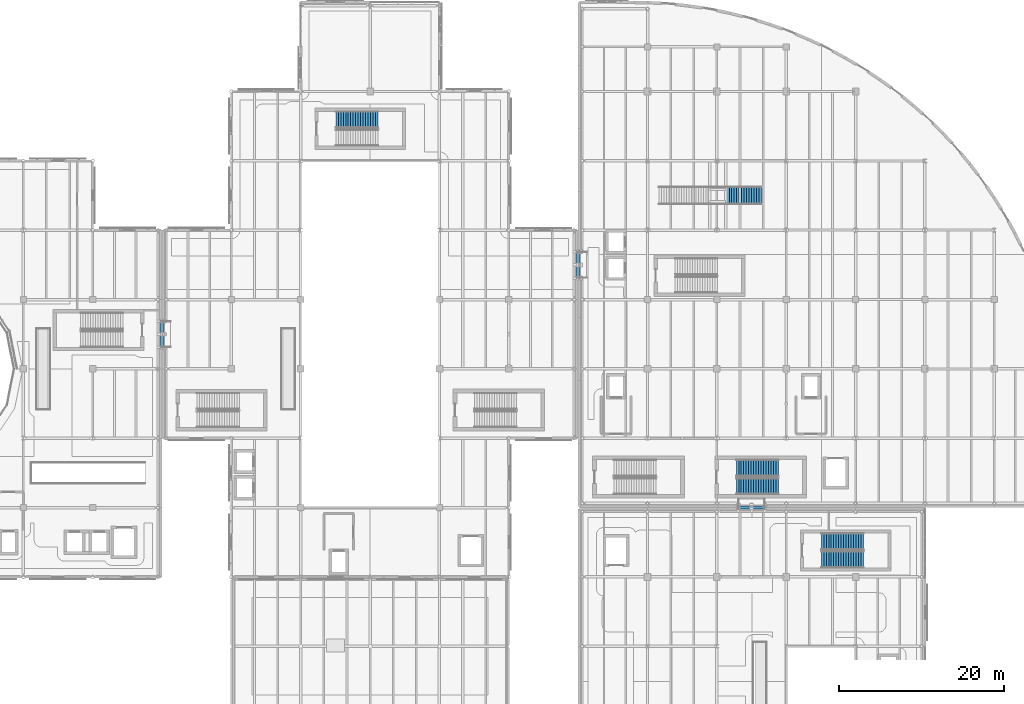
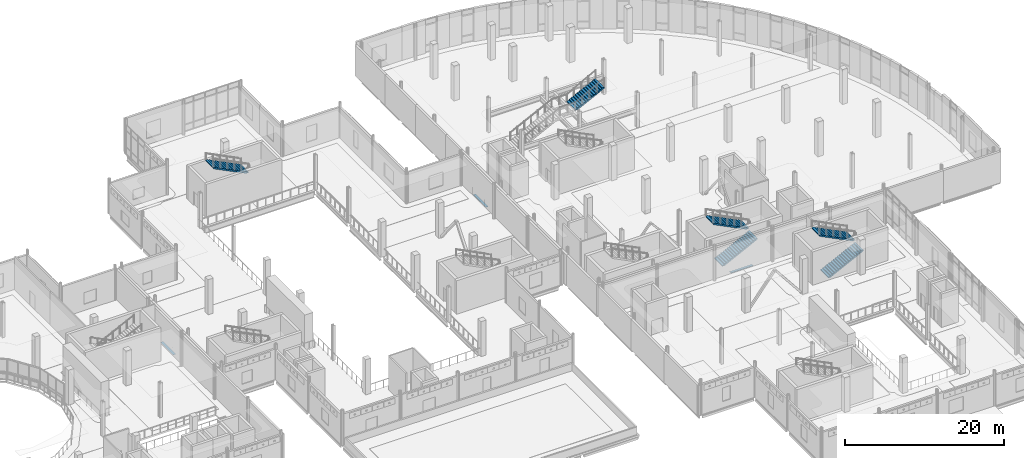
# One storey, part 74 of 110: 6 stair flights, 3 discrete accessories, 4 elements without a shape of their own.
"""IFC4 building model written with IfcOpenShell, lengths in metres."""

from ifc_helpers import new_model, si_unit, direction, frame, origin, origin_2d, place, context, subcontext, project, spatial, polyline, rectangle, outline, extrude, material, type_object, element, aggregate, save


model = new_model("IFC4")

# Units and contexts
model_context = context("Model", 3, precision=1e-05, world=origin(), true_north=direction((0.0, 1.0)))
body_context = subcontext(model_context, "Body", "Model", "MODEL_VIEW")
ifc_project = project(units=[si_unit("LENGTHUNIT", "METRE"), si_unit("AREAUNIT", "SQUARE_METRE"), si_unit("VOLUMEUNIT", "CUBIC_METRE"), si_unit("PLANEANGLEUNIT", "RADIAN"), si_unit("MASSUNIT", "GRAM", prefix="KILO"), si_unit("THERMODYNAMICTEMPERATUREUNIT", "KELVIN")], contexts=[model_context])

# Site, building, storey
site_placement = place(None, origin())
site = spatial("IfcSite", under=ifc_project, at=site_placement, CompositionType="ELEMENT")
building_placement = place(site_placement, origin())
building = spatial("IfcBuilding", under=site, at=building_placement, Name="Lustrewick Department Store", CompositionType="ELEMENT")
storey_placement = place(building_placement, frame((0.0, 0.0, 6.0)))
storey = spatial("IfcBuildingStorey", under=building, at=storey_placement, Name="L02", CompositionType="ELEMENT", Elevation=6.0)

# Stair, stair flight
ifc_material_1 = material(Name="Structural steel S355 (Q355B)", Category="steel")
stair_type_1 = type_object("IfcStairType", Name="AST02", PredefinedType="STRAIGHT_RUN_STAIR", material=ifc_material_1)
stair_1_placement = place(storey_placement, origin())
stair_1 = element("IfcStair", 1, at=stair_1_placement, inside=storey, type_object=stair_type_1, Name="L02 Architectural Feature Stair AST02", PredefinedType="STRAIGHT_RUN_STAIR")
stair_flight_type_1 = type_object("IfcStairFlightType", Name="SF-A2", PredefinedType="STRAIGHT", material=ifc_material_1)
stair_flight_1_placement = place(storey_placement, frame((127.199951171875, 88.199951171875, 3.14990234375), z_axis=(0.0, 0.0, 1.0), x_axis=(1.0, 0.0, 0.0)))
stair_flight_1 = element("IfcStairFlight", 2, at=stair_flight_1_placement, type_object=stair_flight_type_1, Name="AST02 flight 2", NumberOfRisers=15, NumberOfTreads=14, PredefinedType="STRAIGHT", RiserHeight=0.15, TreadLength=0.3, context=body_context, shape_type="SweptSolid", body=[
    extrude(outline(polyline([(0.0, 0.0), (0.0, 0.14990234375), (0.300048828125, 0.14990234375), (0.300048828125, 0.300048828125), (0.60009765625, 0.300048828125), (0.60009765625, 0.449951171875), (0.89990234375, 0.449951171875), (0.89990234375, 0.60009765625), (1.199951171875, 0.60009765625), (1.199951171875, 0.75), (1.5, 0.75), (1.5, 0.89990234375), (1.800048828125, 0.89990234375), (1.800048828125, 1.050048828125), (2.10009765625, 1.050048828125), (2.10009765625, 1.199951171875), (2.39990234375, 1.199951171875), (2.39990234375, 1.35009765625), (2.699951171875, 1.35009765625), (2.699951171875, 1.5), (3.0, 1.5), (3.0, 1.64990234375), (3.300048828125, 1.64990234375), (3.300048828125, 1.800048828125), (3.60009765625, 1.800048828125), (3.60009765625, 1.949951171875), (3.89990234375, 1.949951171875), (3.89990234375, 2.10009765625), (4.199951171875, 2.10009765625), (4.199951171875, 2.25), (4.199951171875, 1.921142578125), (0.357666015625, 0.0), (0.0, 0.0)])), frame((0.0, 1.10009765625, 0.0), z_axis=(0.0, -1.0, 0.0), x_axis=(1.0, 0.0, 0.0)), (0.0, 0.0, 1.0), 2.199951171875),
])
aggregate(stair_1, [stair_flight_1])

ifc_material_2 = material(Name="Concrete C30", Category="concrete")
stair_type_2 = type_object("IfcStairType", Name="ST-H54", PredefinedType="HALF_TURN_STAIR", material=ifc_material_2)
stair_2_placement = place(storey_placement, origin())
stair_2 = element("IfcStair", 3, at=stair_2_placement, inside=storey, type_object=stair_type_2, Name="L02 Smoke-Proof Exit Stair ST06", PredefinedType="HALF_TURN_STAIR")
stair_flight_type_2 = type_object("IfcStairFlightType", Name="SF-H54", PredefinedType="STRAIGHT", material=ifc_material_2)
stair_flight_2_placement = place(storey_placement, frame((84.949951171875, 97.39990234375, 2.699951171875), z_axis=(0.0, 0.0, 1.0), x_axis=(-1.0, 0.0, 0.0)))
stair_flight_2 = element("IfcStairFlight", 4, at=stair_flight_2_placement, type_object=stair_flight_type_2, Name="ST-H54 flight 2", NumberOfRisers=18, NumberOfTreads=17, PredefinedType="STRAIGHT", RiserHeight=0.15, TreadLength=0.3, context=body_context, shape_type="SweptSolid", body=[
    extrude(outline(polyline([(0.0, 0.0), (0.0, 0.14990234375), (0.300048828125, 0.14990234375), (0.300048828125, 0.300048828125), (0.60009765625, 0.300048828125), (0.60009765625, 0.449951171875), (0.89990234375, 0.449951171875), (0.89990234375, 0.60009765625), (1.199951171875, 0.60009765625), (1.199951171875, 0.75), (1.5, 0.75), (1.5, 0.89990234375), (1.800048828125, 0.89990234375), (1.800048828125, 1.050048828125), (2.10009765625, 1.050048828125), (2.10009765625, 1.199951171875), (2.39990234375, 1.199951171875), (2.39990234375, 1.35009765625), (2.699951171875, 1.35009765625), (2.699951171875, 1.5), (3.0, 1.5), (3.0, 1.64990234375), (3.300048828125, 1.64990234375), (3.300048828125, 1.800048828125), (3.60009765625, 1.800048828125), (3.60009765625, 1.949951171875), (3.89990234375, 1.949951171875), (3.89990234375, 2.10009765625), (4.199951171875, 2.10009765625), (4.199951171875, 2.25), (4.5, 2.25), (4.5, 2.39990234375), (4.800048828125, 2.39990234375), (4.800048828125, 2.550048828125), (5.10009765625, 2.550048828125), (5.10009765625, 2.699951171875), (5.10009765625, 2.37109375), (0.357666015625, 0.0), (0.0, 0.0)])), frame((0.0, 1.0, 0.0), z_axis=(0.0, -1.0, 0.0), x_axis=(1.0, 0.0, 0.0)), (0.0, 0.0, 1.0), 2.0),
])
aggregate(stair_2, [stair_flight_2])

# Stair, stair flights
stair_3_placement = place(storey_placement, origin())
stair_3 = element("IfcStair", 5, at=stair_3_placement, inside=storey, type_object=stair_type_2, Name="L02 Smoke-Proof Exit Stair ST08", PredefinedType="HALF_TURN_STAIR")
stair_flight_3_placement = place(storey_placement, frame((138.64990234375, 44.10009765625, 0.0), z_axis=(0.0, 0.0, 1.0), x_axis=(1.0, 0.0, 0.0)))
stair_flight_3 = element("IfcStairFlight", 6, at=stair_flight_3_placement, type_object=stair_flight_type_2, Name="ST-H54 flight 1", NumberOfRisers=18, NumberOfTreads=17, PredefinedType="STRAIGHT", RiserHeight=0.15, TreadLength=0.3, context=body_context, shape_type="SweptSolid", body=[
    extrude(outline(polyline([(0.0, 0.0), (0.0, 0.14990234375), (0.300048828125, 0.14990234375), (0.300048828125, 0.300048828125), (0.60009765625, 0.300048828125), (0.60009765625, 0.449951171875), (0.89990234375, 0.449951171875), (0.89990234375, 0.60009765625), (1.199951171875, 0.60009765625), (1.199951171875, 0.75), (1.5, 0.75), (1.5, 0.89990234375), (1.800048828125, 0.89990234375), (1.800048828125, 1.050048828125), (2.10009765625, 1.050048828125), (2.10009765625, 1.199951171875), (2.39990234375, 1.199951171875), (2.39990234375, 1.35009765625), (2.699951171875, 1.35009765625), (2.699951171875, 1.5), (3.0, 1.5), (3.0, 1.64990234375), (3.300048828125, 1.64990234375), (3.300048828125, 1.800048828125), (3.60009765625, 1.800048828125), (3.60009765625, 1.949951171875), (3.89990234375, 1.949951171875), (3.89990234375, 2.10009765625), (4.199951171875, 2.10009765625), (4.199951171875, 2.25), (4.5, 2.25), (4.5, 2.39990234375), (4.800048828125, 2.39990234375), (4.800048828125, 2.550048828125), (5.10009765625, 2.550048828125), (5.10009765625, 2.699951171875), (5.10009765625, 2.37109375), (0.357666015625, 0.0), (0.0, 0.0)])), frame((0.0, 1.0, 0.0), z_axis=(0.0, -1.0, 0.0), x_axis=(1.0, 0.0, 0.0)), (0.0, 0.0, 1.0), 2.0),
])
stair_flight_4_placement = place(storey_placement, frame((143.75, 46.300048828125, 2.699951171875), z_axis=(0.0, 0.0, 1.0), x_axis=(-1.0, 0.0, 0.0)))
stair_flight_4 = element("IfcStairFlight", 7, at=stair_flight_4_placement, type_object=stair_flight_type_2, Name="ST-H54 flight 2", NumberOfRisers=18, NumberOfTreads=17, PredefinedType="STRAIGHT", RiserHeight=0.15, TreadLength=0.3, context=body_context, shape_type="SweptSolid", body=[
    extrude(outline(polyline([(0.0, 0.0), (0.0, 0.14990234375), (0.300048828125, 0.14990234375), (0.300048828125, 0.300048828125), (0.60009765625, 0.300048828125), (0.60009765625, 0.449951171875), (0.89990234375, 0.449951171875), (0.89990234375, 0.60009765625), (1.199951171875, 0.60009765625), (1.199951171875, 0.75), (1.5, 0.75), (1.5, 0.89990234375), (1.800048828125, 0.89990234375), (1.800048828125, 1.050048828125), (2.10009765625, 1.050048828125), (2.10009765625, 1.199951171875), (2.39990234375, 1.199951171875), (2.39990234375, 1.35009765625), (2.699951171875, 1.35009765625), (2.699951171875, 1.5), (3.0, 1.5), (3.0, 1.64990234375), (3.300048828125, 1.64990234375), (3.300048828125, 1.800048828125), (3.60009765625, 1.800048828125), (3.60009765625, 1.949951171875), (3.89990234375, 1.949951171875), (3.89990234375, 2.10009765625), (4.199951171875, 2.10009765625), (4.199951171875, 2.25), (4.5, 2.25), (4.5, 2.39990234375), (4.800048828125, 2.39990234375), (4.800048828125, 2.550048828125), (5.10009765625, 2.550048828125), (5.10009765625, 2.699951171875), (5.10009765625, 2.37109375), (0.357666015625, 0.0), (0.0, 0.0)])), frame((0.0, 1.0, 0.0), z_axis=(0.0, -1.0, 0.0), x_axis=(1.0, 0.0, 0.0)), (0.0, 0.0, 1.0), 2.0),
])
aggregate(stair_3, [stair_flight_3, stair_flight_4])

stair_4_placement = place(storey_placement, origin())
stair_4 = element("IfcStair", 8, at=stair_4_placement, inside=storey, type_object=stair_type_2, Name="L02 Smoke-Proof Exit Stair ST11", PredefinedType="HALF_TURN_STAIR")
stair_flight_5_placement = place(storey_placement, frame((128.35009765625, 53.0, 0.0), z_axis=(0.0, 0.0, 1.0), x_axis=(1.0, 0.0, 0.0)))
stair_flight_5 = element("IfcStairFlight", 9, at=stair_flight_5_placement, type_object=stair_flight_type_2, Name="ST-H54 flight 1", NumberOfRisers=18, NumberOfTreads=17, PredefinedType="STRAIGHT", RiserHeight=0.15, TreadLength=0.3, context=body_context, shape_type="SweptSolid", body=[
    extrude(outline(polyline([(0.0, 0.0), (0.0, 0.14990234375), (0.300048828125, 0.14990234375), (0.300048828125, 0.300048828125), (0.60009765625, 0.300048828125), (0.60009765625, 0.449951171875), (0.89990234375, 0.449951171875), (0.89990234375, 0.60009765625), (1.199951171875, 0.60009765625), (1.199951171875, 0.75), (1.5, 0.75), (1.5, 0.89990234375), (1.800048828125, 0.89990234375), (1.800048828125, 1.050048828125), (2.10009765625, 1.050048828125), (2.10009765625, 1.199951171875), (2.39990234375, 1.199951171875), (2.39990234375, 1.35009765625), (2.699951171875, 1.35009765625), (2.699951171875, 1.5), (3.0, 1.5), (3.0, 1.64990234375), (3.300048828125, 1.64990234375), (3.300048828125, 1.800048828125), (3.60009765625, 1.800048828125), (3.60009765625, 1.949951171875), (3.89990234375, 1.949951171875), (3.89990234375, 2.10009765625), (4.199951171875, 2.10009765625), (4.199951171875, 2.25), (4.5, 2.25), (4.5, 2.39990234375), (4.800048828125, 2.39990234375), (4.800048828125, 2.550048828125), (5.10009765625, 2.550048828125), (5.10009765625, 2.699951171875), (5.10009765625, 2.37109375), (0.357666015625, 0.0), (0.0, 0.0)])), frame((0.0, 1.0, 0.0), z_axis=(0.0, -1.0, 0.0), x_axis=(1.0, 0.0, 0.0)), (0.0, 0.0, 1.0), 2.0),
])
stair_flight_6_placement = place(storey_placement, frame((133.449951171875, 55.199951171875, 2.699951171875), z_axis=(0.0, 0.0, 1.0), x_axis=(-1.0, 0.0, 0.0)))
stair_flight_6 = element("IfcStairFlight", 10, at=stair_flight_6_placement, type_object=stair_flight_type_2, Name="ST-H54 flight 2", NumberOfRisers=18, NumberOfTreads=17, PredefinedType="STRAIGHT", RiserHeight=0.15, TreadLength=0.3, context=body_context, shape_type="SweptSolid", body=[
    extrude(outline(polyline([(0.0, 0.0), (0.0, 0.14990234375), (0.300048828125, 0.14990234375), (0.300048828125, 0.300048828125), (0.60009765625, 0.300048828125), (0.60009765625, 0.449951171875), (0.89990234375, 0.449951171875), (0.89990234375, 0.60009765625), (1.199951171875, 0.60009765625), (1.199951171875, 0.75), (1.5, 0.75), (1.5, 0.89990234375), (1.800048828125, 0.89990234375), (1.800048828125, 1.050048828125), (2.10009765625, 1.050048828125), (2.10009765625, 1.199951171875), (2.39990234375, 1.199951171875), (2.39990234375, 1.35009765625), (2.699951171875, 1.35009765625), (2.699951171875, 1.5), (3.0, 1.5), (3.0, 1.64990234375), (3.300048828125, 1.64990234375), (3.300048828125, 1.800048828125), (3.60009765625, 1.800048828125), (3.60009765625, 1.949951171875), (3.89990234375, 1.949951171875), (3.89990234375, 2.10009765625), (4.199951171875, 2.10009765625), (4.199951171875, 2.25), (4.5, 2.25), (4.5, 2.39990234375), (4.800048828125, 2.39990234375), (4.800048828125, 2.550048828125), (5.10009765625, 2.550048828125), (5.10009765625, 2.699951171875), (5.10009765625, 2.37109375), (0.357666015625, 0.0), (0.0, 0.0)])), frame((0.0, 1.0, 0.0), z_axis=(0.0, -1.0, 0.0), x_axis=(1.0, 0.0, 0.0)), (0.0, 0.0, 1.0), 2.0),
])
aggregate(stair_4, [stair_flight_5, stair_flight_6])

# Discrete accessories
ifc_material_3 = material(Name="Structural steel Q355C", Category="steel")
discrete_accessory_type = type_object("IfcDiscreteAccessoryType", Name="SJC-01", PredefinedType="USERDEFINED", material=ifc_material_3)
for number, where, z_axis, x_axis, name in (
    (11, (58.800048828125, 71.39990234375, -0.02392578125), (0.0, 0.0, 1.0), (1.0, 0.0, 0.0), "L02 Skybridge SB12 Flush Seismic Joint Cover Plate"),
    (12, (109.199951171875, 79.800048828125, -0.02392578125), (0.0, 0.0, 1.0), (1.0, 0.0, 0.0), "L02 Skybridge SB24 Flush Seismic Joint Cover Plate"),
):
    element("IfcDiscreteAccessory", number, at=place(storey_placement, frame(where, z_axis=z_axis, x_axis=x_axis)), inside=storey, type_object=discrete_accessory_type, Name=name, ObjectType="SEISMIC_JOINT_COVER", PredefinedType="USERDEFINED", context=body_context, shape_type="SweptSolid", body=[
        extrude(rectangle(XDim=0.360107421875, YDim=3.199951171875, at=origin_2d()), origin(), (0.0, 0.0, 1.0), 0.02392578125),
    ])
discrete_accessory_placement = place(storey_placement, frame((130.199951171875, 50.39990234375, -0.02392578125), z_axis=(0.0, 0.0, 1.0), x_axis=(1.0, 0.0, 0.0)))
element("IfcDiscreteAccessory", 13, at=discrete_accessory_placement, inside=storey, type_object=discrete_accessory_type, Name="L02 Skybridge SB34 Flush Seismic Joint Cover Plate", ObjectType="SEISMIC_JOINT_COVER", PredefinedType="USERDEFINED", context=body_context, shape_type="SweptSolid", body=[
    extrude(rectangle(XDim=3.199951171875, YDim=0.360107421875, at=origin_2d()), origin(), (0.0, 0.0, 1.0), 0.02392578125),
])

save(model, "model.ifc")
